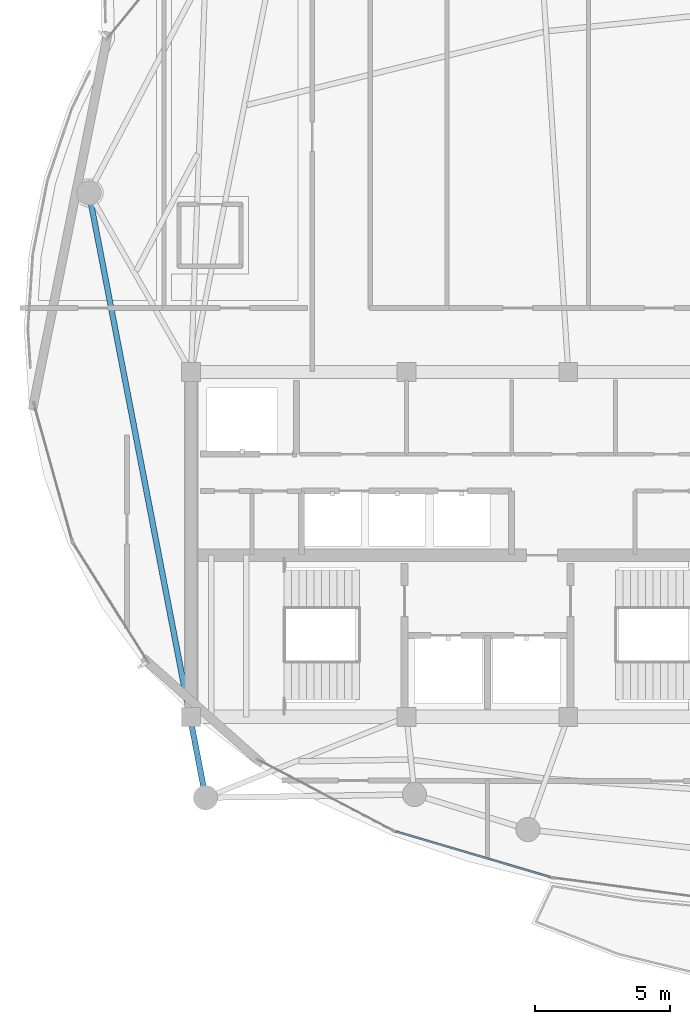
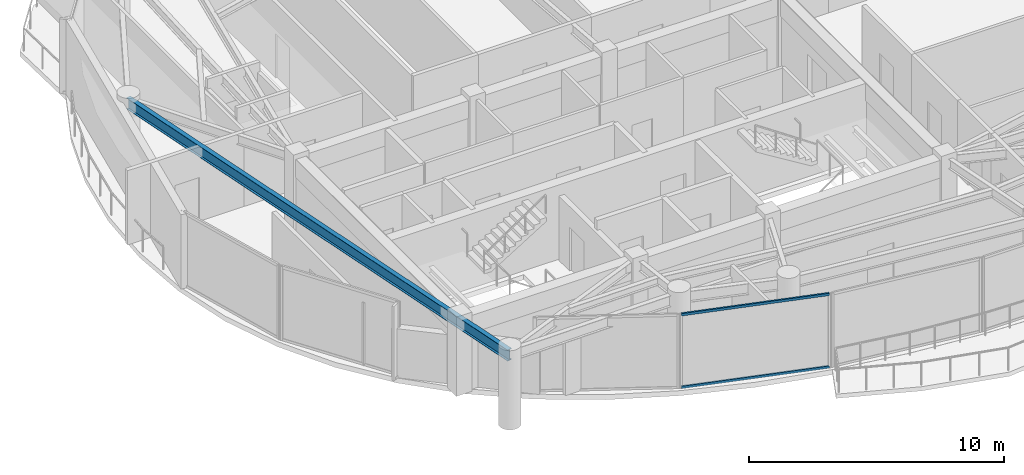
# One storey, part 4 of 29: 2 members, 1 beam, 1 element without a shape of its own.
"""IFC4 building model written with IfcOpenShell, lengths in metres."""

from ifc_helpers import new_model, si_unit, direction, frame, origin, origin_2d, place, context, subcontext, project, spatial, hollow_rectangle, i_section, extrude, material, layer, layer_set, material_profile, profile_set, type_object, element, aggregate, save


model = new_model("IFC4")

# Units and contexts
model_context = context("Model", 3, precision=1e-05, world=origin(), true_north=direction((0.0, 1.0)))
body_context = subcontext(model_context, "Body", "Model", "MODEL_VIEW")
ifc_project = project(units=[si_unit("LENGTHUNIT", "METRE"), si_unit("AREAUNIT", "SQUARE_METRE"), si_unit("VOLUMEUNIT", "CUBIC_METRE"), si_unit("PLANEANGLEUNIT", "RADIAN"), si_unit("MASSUNIT", "GRAM", prefix="KILO")], contexts=[model_context])

# Site, building, storey
site_placement = place(None, origin())
site = spatial("IfcSite", under=ifc_project, at=site_placement, CompositionType="ELEMENT")
building_placement = place(site_placement, origin())
building = spatial("IfcBuilding", under=site, at=building_placement, Name="Kazevale Care Tower and Concert Hall", CompositionType="ELEMENT")
storey_placement = place(building_placement, frame((0.0, 0.0, 285.199951171875)))
storey = spatial("IfcBuildingStorey", under=building, at=storey_placement, Name="L75", CompositionType="ELEMENT", Elevation=285.199951171875)

# Curtain wall, members
ifc_material_1 = material(Name="Aluminium 6063-T6 and Low-E Glass", Category="aluminium")
ifc_layer = layer(ifc_material_1, 0.179931640625)
ifc_layer_set = layer_set([ifc_layer], Name="Aluminium 6063-T6 and Low-E Glass")
curtain_wall_type = type_object("IfcCurtainWallType", Name="Sheltered Concave Balcony Curtain Wall CW-5", PredefinedType="NOTDEFINED", material=ifc_layer_set)
curtain_wall_placement = place(storey_placement, origin())
curtain_wall = element("IfcCurtainWall", 1, at=curtain_wall_placement, inside=storey, type_object=curtain_wall_type, Name="cw:L75:f08", PredefinedType="NOTDEFINED")
ifc_material_2 = material(Name="Aluminium 6063-T6", Category="aluminium")
ifc_material_profile_1 = material_profile(ifc_material_2, hollow_rectangle(XDim=0.074951171875, YDim=0.1201171875, WallThickness=0.00390625, at=origin_2d()), Name="ALU75x120x4")
ifc_profile_set_1 = profile_set([ifc_material_profile_1], Name="Aluminium 6063-T6")
member_type = type_object("IfcMemberType", Name="CW-5 Transom ALU75x120x4", PredefinedType="USERDEFINED", material=ifc_profile_set_1)
member_1_placement = place(storey_placement, frame((35.321044921875, 17.6552734375, 0.03759765625), z_axis=(-0.959060435573, 0.283201484669, 0.0), x_axis=(-0.283201484669, -0.959060435573, 0.0)))
member_1 = element("IfcMember", 2, at=member_1_placement, type_object=member_type, Name="CW-5 transom 1.1", ObjectType="TRANSOM", PredefinedType="USERDEFINED", context=body_context, shape_type="SweptSolid", body=[
    extrude(hollow_rectangle(XDim=0.074951171875, YDim=0.1201171875, WallThickness=0.00390625, at=origin_2d()), origin(), (0.0, 0.0, 1.0), 5.962158203125),
])
member_2_placement = place(storey_placement, frame((35.321044921875, 17.6552734375, 3.5224609375), z_axis=(-0.959060435573, 0.283201484669, 0.0), x_axis=(-0.283201484669, -0.959060435573, 0.0)))
member_2 = element("IfcMember", 3, at=member_2_placement, type_object=member_type, Name="CW-5 transom 1.2", ObjectType="TRANSOM", PredefinedType="USERDEFINED", context=body_context, shape_type="SweptSolid", body=[
    extrude(hollow_rectangle(XDim=0.074951171875, YDim=0.1201171875, WallThickness=0.00390625, at=origin_2d()), origin(), (0.0, 0.0, 1.0), 5.962158203125),
])
aggregate(curtain_wall, [member_1, member_2])

# Beam
ifc_material_3 = material(Name="Steel ASTM A572 Gr 50", Category="steel")
ifc_material_profile_2 = material_profile(ifc_material_3, i_section(OverallWidth=0.208984375, OverallDepth=0.532958984375, WebThickness=0.01025390625, FlangeThickness=0.015625, at=origin_2d()), Name="W530x92")
ifc_profile_set_2 = profile_set([ifc_material_profile_2], Name="Steel ASTM A572 Gr 50")
beam_type = type_object("IfcBeamType", Name="Upper Ring Beam W530x92", PredefinedType="BEAM", material=ifc_profile_set_2)
beam_placement = place(storey_placement, frame((18.2099609375, 43.050048828125, 3.29345703125), z_axis=(0.189386387255, -0.981902640959, 0.0), x_axis=(0.981902640959, 0.189386387255, 0.0)))
element("IfcBeam", 4, at=beam_placement, inside=storey, type_object=beam_type, Name="beam:L75:ring:09", PredefinedType="BEAM", context=body_context, shape_type="SweptSolid", body=[
    extrude(i_section(OverallWidth=0.208984375, OverallDepth=0.532958984375, WebThickness=0.01025390625, FlangeThickness=0.015625, at=origin_2d()), origin(), (0.0, 0.0, 1.0), 22.86376953125),
])

save(model, "model.ifc")
